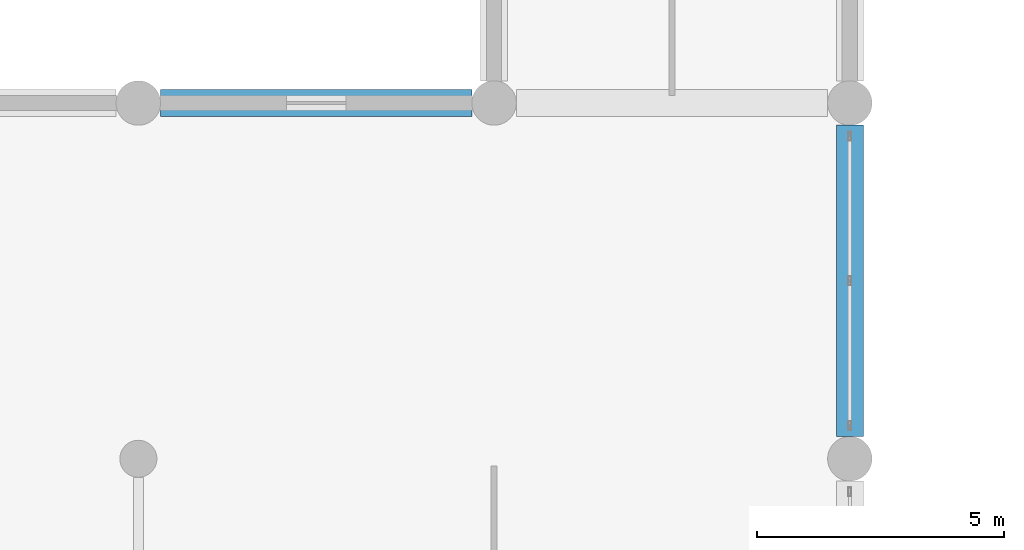
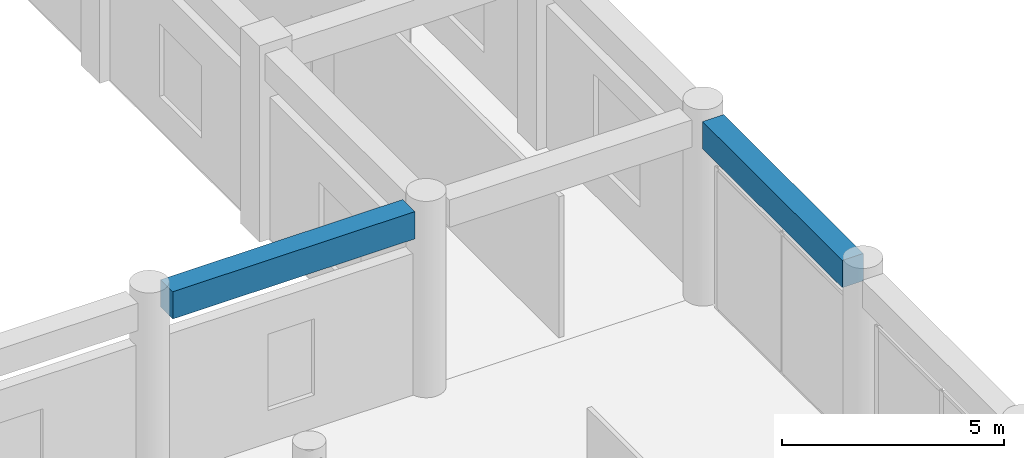
# One storey, part 20 of 56: 2 beams.
"""IFC4 building model written with IfcOpenShell, lengths in metres."""

from ifc_helpers import new_model, si_unit, direction, frame, origin, origin_2d, place, context, subcontext, project, spatial, rectangle, extrude, material, material_profile, profile_set, type_object, element, save


model = new_model("IFC4")

# Units and contexts
model_context = context("Model", 3, precision=1e-05, world=origin(), true_north=direction((0.0, 1.0)))
body_context = subcontext(model_context, "Body", "Model", "MODEL_VIEW")
ifc_project = project(units=[si_unit("LENGTHUNIT", "METRE"), si_unit("AREAUNIT", "SQUARE_METRE"), si_unit("VOLUMEUNIT", "CUBIC_METRE"), si_unit("PLANEANGLEUNIT", "RADIAN"), si_unit("MASSUNIT", "GRAM", prefix="KILO")], contexts=[model_context])

# Site, building, storey
site_placement = place(None, origin())
site = spatial("IfcSite", under=ifc_project, at=site_placement, CompositionType="ELEMENT")
building_placement = place(site_placement, origin())
building = spatial("IfcBuilding", under=site, at=building_placement, Name="Kazehaya Institute of Natural Sciences", CompositionType="ELEMENT")
storey_placement = place(building_placement, origin())
storey = spatial("IfcBuildingStorey", under=building, at=storey_placement, Name="L00", CompositionType="ELEMENT", Elevation=0.0)

# Beams
ifc_material = material(Name="Concrete Fc36", Category="concrete")
ifc_material_profile = material_profile(ifc_material, rectangle(XDim=0.550048828125, YDim=0.75, at=origin_2d()), Name="RC-550x750")
ifc_profile_set = profile_set([ifc_material_profile], Name="Concrete Fc36")
beam_type = type_object("IfcBeamType", Name="BM-G-550x750", PredefinedType="BEAM", material=ifc_profile_set)
for number, where, z_axis, x_axis, name in (
    (1, (98.25, 64.39990234375, 4.7548828125), (1.0, 0.0, 0.0), (0.0, 1.0, 0.0), "L00 primary X girder BMX-L00-978-644"),
    (2, (112.199951171875, 57.64990234375, 4.7548828125), (0.0, 1.0, 0.0), (-1.0, 0.0, 0.0), "L00 primary Y girder BMY-L00-1122-572"),
):
    element("IfcBeam", number, at=place(storey_placement, frame(where, z_axis=z_axis, x_axis=x_axis)), inside=storey, type_object=beam_type, Name=name, PredefinedType="BEAM", context=body_context, shape_type="SweptSolid", body=[
        extrude(rectangle(XDim=0.550048828125, YDim=0.75, at=origin_2d()), origin(), (0.0, 0.0, 1.0), 6.300048828125),
    ])

save(model, "model.ifc")
